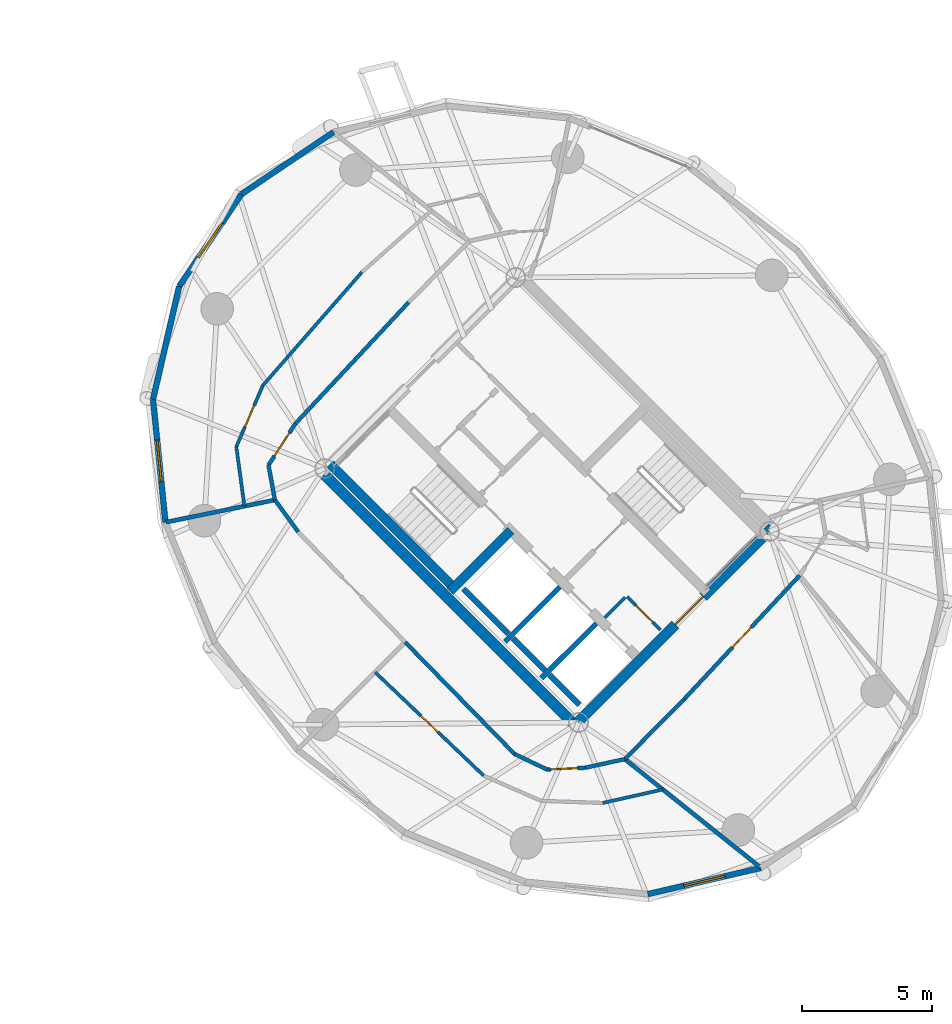
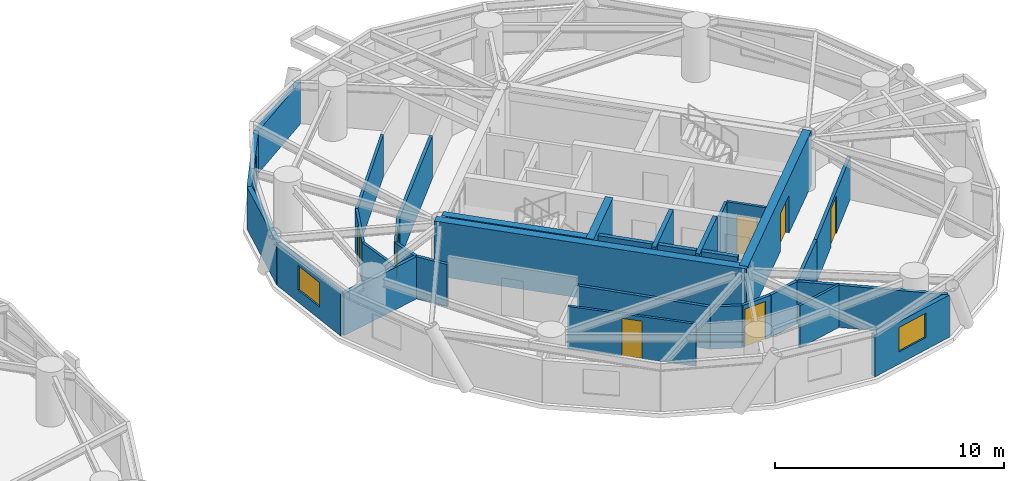
# One storey, part 12 of 17: 33 walls, 7 doors, 3 windows, 10 openings.
"""IFC4 building model written with IfcOpenShell, lengths in metres."""

from ifc_helpers import new_model, si_unit, direction, frame, frame_2d, origin, place, context, subcontext, project, spatial, rectangle, extrude, source, transform, mapped, material, layer, layer_set, type_object, element, fill, save


model = new_model("IFC4")

# Units and contexts
model_context = context("Model", 3, precision=1e-05, world=origin(), true_north=direction((0.0, 1.0)))
body_context = subcontext(model_context, "Body", "Model", "MODEL_VIEW")
ifc_project = project(units=[si_unit("LENGTHUNIT", "METRE"), si_unit("AREAUNIT", "SQUARE_METRE"), si_unit("VOLUMEUNIT", "CUBIC_METRE"), si_unit("PLANEANGLEUNIT", "RADIAN"), si_unit("MASSUNIT", "GRAM", prefix="KILO")], contexts=[model_context])

# Site, building, storey
site_placement = place(None, origin())
site = spatial("IfcSite", under=ifc_project, at=site_placement, CompositionType="ELEMENT")
building_placement = place(site_placement, origin())
building = spatial("IfcBuilding", under=site, at=building_placement, Name="Cununo Teusaquillo Station Towers", CompositionType="ELEMENT")
storey_placement = place(building_placement, frame((0.0, 0.0, 174.8798828125)))
storey = spatial("IfcBuildingStorey", under=building, at=storey_placement, Name="L55", CompositionType="ELEMENT", Elevation=174.8798828125)

# Walls
ifc_material_1 = material(Name="Concrete C50/60", Category="concrete")
ifc_layer_1 = layer(ifc_material_1, 0.199951171875)
ifc_layer_set_1 = layer_set([ifc_layer_1], Name="Concrete C50/60")
wall_type_1 = type_object("IfcWallType", Name="WL-CORE-200", PredefinedType="SHEAR", material=ifc_layer_set_1)
wall_1_placement = place(storey_placement, frame((55.8876953125, 19.0693359375, 0.0), z_axis=(0.0, 0.0, 1.0), x_axis=(0.707106781187, 0.707106781187, 0.0)))
element("IfcWall", 1, at=wall_1_placement, inside=storey, type_object=wall_type_1, Name="L55 Tower B Firefighting Lift Shaft South Shear Wall", PredefinedType="SHEAR", context=body_context, shape_type="SweptSolid", body=[
    extrude(rectangle(XDim=2.969970703125, YDim=0.199951171875, at=frame_2d((1.48486328125, 0.0))), origin(), (0.0, 0.0, 1.0), 2.91015625),
])
wall_2_placement = place(storey_placement, frame((56.01513671875, 19.366455078125, 0.0), z_axis=(0.0, 0.0, 1.0), x_axis=(-0.707106781187, 0.707106781187, 0.0)))
element("IfcWall", 2, at=wall_2_placement, inside=storey, type_object=wall_type_1, Name="L55 Tower B Firefighting Lift Shaft Rear Shear Wall", PredefinedType="SHEAR", context=body_context, shape_type="SweptSolid", body=[
    extrude(rectangle(XDim=2.43994140625, YDim=0.199951171875, at=frame_2d((1.219970703125, 0.0))), origin(), (0.0, 0.0, 1.0), 2.91015625),
])
wall_3_placement = place(storey_placement, frame((57.2841796875, 17.6728515625, 0.0), z_axis=(0.0, 0.0, 1.0), x_axis=(0.707147878904, 0.70706568108, 0.0)))
element("IfcWall", 3, at=wall_3_placement, inside=storey, type_object=wall_type_1, Name="L55 Tower B High-Rise Lift Hoistway Divider Shear Wall", PredefinedType="SHEAR", context=body_context, shape_type="SweptSolid", body=[
    extrude(rectangle(XDim=2.97021484375, YDim=0.199951171875, at=frame_2d((1.485107421875, 0.0))), origin(), (0.0, 0.0, 1.0), 2.91015625),
])
wall_4_placement = place(storey_placement, frame((57.41162109375, 17.969970703125, 0.0), z_axis=(0.0, 0.0, 1.0), x_axis=(-0.707106781187, 0.707106781187, 0.0)))
element("IfcWall", 4, at=wall_4_placement, inside=storey, type_object=wall_type_1, Name="L55 Tower B High-Rise Lift 2 Shaft Rear Shear Wall", PredefinedType="SHEAR", context=body_context, shape_type="SweptSolid", body=[
    extrude(rectangle(XDim=1.73486328125, YDim=0.199951171875, at=frame_2d((0.867431640625, 0.0))), origin(), (0.0, 0.0, 1.0), 2.91015625),
])
wall_5_placement = place(storey_placement, frame((58.7373046875, 16.64404296875, 0.0), z_axis=(0.0, 0.0, 1.0), x_axis=(-0.707032117043, 0.707181437447, 0.0)))
element("IfcWall", 5, at=wall_5_placement, inside=storey, type_object=wall_type_1, Name="L55 Tower B High-Rise Lift 1 Shaft Rear Shear Wall", PredefinedType="SHEAR", context=body_context, shape_type="SweptSolid", body=[
    extrude(rectangle(XDim=1.635009765625, YDim=0.199951171875, at=frame_2d((0.8173828125, 0.0))), origin(), (0.0, 0.0, 1.0), 2.91015625),
])
ifc_material_2 = material(Name="Concrete C50/60", Category="concrete")
ifc_layer_2 = layer(ifc_material_2, 0.35009765625)
ifc_layer_set_2 = layer_set([ifc_layer_2], Name="Concrete C50/60")
wall_type_2 = type_object("IfcWallType", Name="WL-CORE-350", PredefinedType="SHEAR", material=ifc_layer_set_2)
wall_6_placement = place(storey_placement, frame((53.922119140625, 21.14111328125, 0.0), z_axis=(0.0, 0.0, 1.0), x_axis=(-0.707106781187, 0.707106781187, 0.0)))
element("IfcWall", 6, at=wall_6_placement, inside=storey, type_object=wall_type_2, Name="L55 Tower B Core Shear Wall ST1W", PredefinedType="SHEAR", context=body_context, shape_type="SweptSolid", body=[
    extrude(rectangle(XDim=6.695068359375, YDim=0.35009765625, at=frame_2d((3.34765625, 0.0))), origin(), (0.0, 0.0, 1.0), 2.91015625),
])
wall_7_placement = place(storey_placement, frame((53.7841796875, 21.00341796875, 0.0), z_axis=(0.0, 0.0, 1.0), x_axis=(0.707106781187, 0.707106781187, 0.0)))
element("IfcWall", 7, at=wall_7_placement, inside=storey, type_object=wall_type_2, Name="L55 Tower B Core Shear Wall ST1S", PredefinedType="SHEAR", context=body_context, shape_type="SweptSolid", body=[
    extrude(rectangle(XDim=3.284912109375, YDim=0.35009765625, at=frame_2d((1.642578125, 0.0))), origin(), (0.0, 0.0, 1.0), 2.91015625),
])
ifc_material_3 = material(Name="Concrete C50/60", Category="concrete")
ifc_layer_3 = layer(ifc_material_3, 0.39990234375)
ifc_layer_set_3 = layer_set([ifc_layer_3], Name="Concrete C50/60")
wall_type_3 = type_object("IfcWallType", Name="WL-CORE-400", PredefinedType="SHEAR", material=ifc_layer_set_3)
wall_8_placement = place(storey_placement, frame((58.7021484375, 15.73193359375, 0.0), z_axis=(0.0, 0.0, 1.0), x_axis=(-0.707106781187, 0.707106781187, 0.0)))
element("IfcWall", 8, at=wall_8_placement, inside=storey, type_object=wall_type_3, Name="L55 Tower B Core Shear Wall W", PredefinedType="SHEAR", context=body_context, shape_type="SweptSolid", body=[
    extrude(rectangle(XDim=14.10009765625, YDim=0.39990234375, at=frame_2d((7.050048828125, 0.0))), origin(), (0.0, 0.0, 1.0), 2.91015625),
])

# Wall, opening, door
wall_9_placement = place(storey_placement, frame((58.560791015625, 15.873291015625, 0.0), z_axis=(0.0, 0.0, 1.0), x_axis=(0.707106781187, 0.707106781187, 0.0)))
wall_9 = element("IfcWall", 9, at=wall_9_placement, inside=storey, type_object=wall_type_3, Name="L55 Tower B Core Shear Wall S", PredefinedType="SHEAR", context=body_context, shape_type="SweptSolid", body=[
    extrude(rectangle(XDim=10.69970703125, YDim=0.39990234375, at=frame_2d((5.349853515625, 0.0))), origin(), (0.0, 0.0, 1.0), 2.91015625),
])
shared_shape_1 = source(origin(), body_context, "Body", "SweptSolid", [
    extrude(rectangle(XDim=1.5, YDim=2.02001953125, at=frame_2d((0.75, 1.010009765625))), frame((0.0, 0.2099609375, 0.0), z_axis=(0.0, -1.0, 0.0), x_axis=(1.0, 0.0, 0.0)), (0.0, 0.0, 1.0), 0.419921875),
])
opening_1_placement = place(wall_9_placement, frame((5.449951171875, 0.0, 0.0)))
opening_1 = element("IfcOpeningElement", 10, at=opening_1_placement, cuts=wall_9, Name="Opening D-LB1", PredefinedType="OPENING", context=body_context, shape_type="MappedRepresentation", body=[
    mapped(shared_shape_1, transform((0.0, 0.0, 0.0), x_axis=(1.0, 0.0, 0.0), y_axis=(0.0, 1.0, 0.0), z_axis=(0.0, 0.0, 1.0), scale=1.0)),
])
ifc_material_4 = material(Name="Galvanised fire-rated hollow steel door assembly", Category="steel")
door_type_1 = type_object("IfcDoorType", Name="DR-LOBBY-1500", OperationType="DOUBLE_DOOR_SINGLE_SWING", PredefinedType="DOOR", material=ifc_material_4)
shared_shape_2 = source(origin(), body_context, "Body", "SweptSolid", [
    extrude(rectangle(XDim=1.5, YDim=2.02001953125, at=frame_2d((0.75, 1.010009765625))), frame((0.0, 0.02490234375, 0.0), z_axis=(0.0, -1.0, 0.0), x_axis=(1.0, 0.0, 0.0)), (0.0, 0.0, 1.0), 0.050048828125),
])
door_1_placement = place(opening_1_placement, origin())
door_1 = element("IfcDoor", 11, at=door_1_placement, inside=storey, type_object=door_type_1, Name="L55 Tower B South Core Lift Lobby Door", OperationType="DOUBLE_DOOR_SINGLE_SWING", OverallHeight=2.02001953125, OverallWidth=1.5, PredefinedType="DOOR", context=body_context, shape_type="MappedRepresentation", body=[
    mapped(shared_shape_2, transform((0.0, 0.0, 0.0), x_axis=(1.0, 0.0, 0.0), y_axis=(0.0, 1.0, 0.0), z_axis=(0.0, 0.0, 1.0), scale=1.0)),
])
fill(opening_1, door_1)

# Wall
ifc_material_5 = material(Name="Precast concrete C40/50", Category="concrete")
ifc_layer_4 = layer(ifc_material_5, 0.219970703125)
ifc_layer_set_4 = layer_set([ifc_layer_4], Name="Precast concrete C40/50")
wall_type_4 = type_object("IfcWallType", Name="WL-EXT-220", PredefinedType="SOLIDWALL", material=ifc_layer_set_4)
wall_10_placement = place(storey_placement, frame((45.783203125, 36.216796875, 0.0), z_axis=(0.0, 0.0, 1.0), x_axis=(0.828817439852, 0.55951912514, 0.0)))
element("IfcWall", 12, at=wall_10_placement, inside=storey, type_object=wall_type_4, Name="L55 Tower B Exterior Facade Wall C04", PredefinedType="SOLIDWALL", context=body_context, shape_type="SweptSolid", body=[
    extrude(rectangle(XDim=4.259033203125, YDim=0.219970703125, at=frame_2d((2.12939453125, 0.0))), origin(), (0.0, 0.0, 1.0), 2.2451171875),
])

# Wall, opening, window
wall_11_placement = place(storey_placement, frame((43.400146484375, 32.686767578125, 0.0), z_axis=(0.0, 0.0, 1.0), x_axis=(0.55951912514, 0.828817439852, 0.0)))
wall_11 = element("IfcWall", 13, at=wall_11_placement, inside=storey, type_object=wall_type_4, Name="L55 Tower B Exterior Facade Wall C05", PredefinedType="SOLIDWALL", context=body_context, shape_type="SweptSolid", body=[
    extrude(rectangle(XDim=4.259033203125, YDim=0.219970703125, at=frame_2d((2.12939453125, 0.0))), origin(), (0.0, 0.0, 1.0), 2.2451171875),
])
shared_shape_3 = source(origin(), body_context, "Body", "SweptSolid", [
    extrude(rectangle(XDim=1.60009765625, YDim=1.300048828125, at=frame_2d((0.800048828125, 0.64990234375))), frame((0.0, 0.119873046875, 0.0), z_axis=(0.0, -1.0, 0.0), x_axis=(1.0, 0.0, 0.0)), (0.0, 0.0, 1.0), 0.239990234375),
])
opening_2_placement = place(wall_11_placement, frame((1.330078125, 0.0, 0.64990234375)))
opening_2 = element("IfcOpeningElement", 14, at=opening_2_placement, cuts=wall_11, Name="Opening WN-03", PredefinedType="OPENING", context=body_context, shape_type="MappedRepresentation", body=[
    mapped(shared_shape_3, transform((0.0, 0.0, 0.0), x_axis=(1.0, 0.0, 0.0), y_axis=(0.0, 1.0, 0.0), z_axis=(0.0, 0.0, 1.0), scale=1.0)),
])
ifc_material_6 = material(Name="Ceramic-fritted dark low-E double glazing", Category="glass")
window_type = type_object("IfcWindowType", Name="WIN-CORN-1600", PartitioningType="SINGLE_PANEL", PredefinedType="WINDOW", material=ifc_material_6)
shared_shape_4 = source(origin(), body_context, "Body", "SweptSolid", [
    extrude(rectangle(XDim=1.60009765625, YDim=1.300048828125, at=frame_2d((0.800048828125, 0.64990234375))), frame((0.0, 0.030029296875, 0.0), z_axis=(0.0, -1.0, 0.0), x_axis=(1.0, 0.0, 0.0)), (0.0, 0.0, 1.0), 0.06005859375),
])
window_1_placement = place(opening_2_placement, origin())
window_1 = element("IfcWindow", 15, at=window_1_placement, inside=storey, type_object=window_type, Name="L55 Tower B Facade Window C05", OverallHeight=1.300048828125, OverallWidth=1.60009765625, PartitioningType="SINGLE_PANEL", PredefinedType="WINDOW", context=body_context, shape_type="MappedRepresentation", body=[
    mapped(shared_shape_4, transform((0.0, 0.0, 0.0), x_axis=(1.0, 0.0, 0.0), y_axis=(0.0, 1.0, 0.0), z_axis=(0.0, 0.0, 1.0), scale=1.0)),
])
fill(opening_2, window_1)

# Wall
wall_12_placement = place(storey_placement, frame((42.397216796875, 28.355224609375, 0.0), z_axis=(0.0, 0.0, 1.0), x_axis=(0.22557328587, 0.97422620202, 0.0)))
element("IfcWall", 16, at=wall_12_placement, inside=storey, type_object=wall_type_4, Name="L55 Tower B Exterior Facade Wall C06", PredefinedType="SOLIDWALL", context=body_context, shape_type="SweptSolid", body=[
    extrude(rectangle(XDim=4.446044921875, YDim=0.219970703125, at=frame_2d((2.22314453125, 0.0))), origin(), (0.0, 0.0, 1.0), 2.2451171875),
])

# Wall, opening, window
wall_13_placement = place(storey_placement, frame((42.87255859375, 23.646484375, 0.0), z_axis=(0.0, 0.0, 1.0), x_axis=(-0.100438356004, 0.994943283129, 0.0)))
wall_13 = element("IfcWall", 17, at=wall_13_placement, inside=storey, type_object=wall_type_4, Name="L55 Tower B Exterior Facade Wall C07", PredefinedType="SOLIDWALL", context=body_context, shape_type="SweptSolid", body=[
    extrude(rectangle(XDim=4.732666015625, YDim=0.219970703125, at=frame_2d((2.3662109375, 0.0))), origin(), (0.0, 0.0, 1.0), 2.2451171875),
])
opening_3_placement = place(wall_13_placement, frame((1.56591796875, 0.0, 0.64990234375)))
opening_3 = element("IfcOpeningElement", 18, at=opening_3_placement, cuts=wall_13, Name="Opening WN-03", PredefinedType="OPENING", context=body_context, shape_type="MappedRepresentation", body=[
    mapped(shared_shape_3, transform((0.0, 0.0, 0.0), x_axis=(1.0, 0.0, 0.0), y_axis=(0.0, 1.0, 0.0), z_axis=(0.0, 0.0, 1.0), scale=1.0)),
])
window_2_placement = place(opening_3_placement, origin())
window_2 = element("IfcWindow", 19, at=window_2_placement, inside=storey, type_object=window_type, Name="L55 Tower B Facade Window C07", OverallHeight=1.300048828125, OverallWidth=1.60009765625, PartitioningType="SINGLE_PANEL", PredefinedType="WINDOW", context=body_context, shape_type="MappedRepresentation", body=[
    mapped(shared_shape_4, transform((0.0, 0.0, 0.0), x_axis=(1.0, 0.0, 0.0), y_axis=(0.0, 1.0, 0.0), z_axis=(0.0, 0.0, 1.0), scale=1.0)),
])
fill(opening_3, window_2)

wall_14_placement = place(storey_placement, frame((65.686767578125, 10.400146484375, 0.0), z_axis=(0.0, 0.0, 1.0), x_axis=(-0.97422620202, -0.22557328587, 0.0)))
wall_14 = element("IfcWall", 20, at=wall_14_placement, inside=storey, type_object=wall_type_4, Name="L55 Tower B Exterior Facade Wall C13", PredefinedType="SOLIDWALL", context=body_context, shape_type="SweptSolid", body=[
    extrude(rectangle(XDim=4.446044921875, YDim=0.219970703125, at=frame_2d((2.22314453125, 0.0))), origin(), (0.0, 0.0, 1.0), 2.2451171875),
])
opening_4_placement = place(wall_14_placement, frame((1.423095703125, 0.0, 0.64990234375)))
opening_4 = element("IfcOpeningElement", 21, at=opening_4_placement, cuts=wall_14, Name="Opening WN-03", PredefinedType="OPENING", context=body_context, shape_type="MappedRepresentation", body=[
    mapped(shared_shape_3, transform((0.0, 0.0, 0.0), x_axis=(1.0, 0.0, 0.0), y_axis=(0.0, 1.0, 0.0), z_axis=(0.0, 0.0, 1.0), scale=1.0)),
])
window_3_placement = place(opening_4_placement, origin())
window_3 = element("IfcWindow", 22, at=window_3_placement, inside=storey, type_object=window_type, Name="L55 Tower B Facade Window C13", OverallHeight=1.300048828125, OverallWidth=1.60009765625, PartitioningType="SINGLE_PANEL", PredefinedType="WINDOW", context=body_context, shape_type="MappedRepresentation", body=[
    mapped(shared_shape_4, transform((0.0, 0.0, 0.0), x_axis=(1.0, 0.0, 0.0), y_axis=(0.0, 1.0, 0.0), z_axis=(0.0, 0.0, 1.0), scale=1.0)),
])
fill(opening_4, window_3)

# Wall, opening, door
ifc_material_7 = material(Name="Fire-rated gypsum plasterboard partition assembly", Category="gypsum")
ifc_layer_5 = layer(ifc_material_7, 0.125)
ifc_layer_set_5 = layer_set([ifc_layer_5], Name="Fire-rated gypsum plasterboard partition assembly")
wall_type_5 = type_object("IfcWallType", Name="WL-PART-125", PredefinedType="PARTITIONING", material=ifc_layer_set_5)
wall_15_placement = place(storey_placement, frame((61.834716796875, 19.529052734375, 0.0), z_axis=(0.0, 0.0, 1.0), x_axis=(-0.707174592913, 0.707038962956, 0.0)))
wall_15 = element("IfcWall", 23, at=wall_15_placement, inside=storey, type_object=wall_type_5, Name="L55 Tower B South-West Compact Store East Wall", PredefinedType="PARTITIONING", context=body_context, shape_type="SweptSolid", body=[
    extrude(rectangle(XDim=1.800048828125, YDim=0.125, at=frame_2d((0.89990234375, 0.0))), origin(), (0.0, 0.0, 1.0), 2.675048828125),
])
shared_shape_5 = source(origin(), body_context, "Body", "SweptSolid", [
    extrude(rectangle(XDim=0.89990234375, YDim=2.0048828125, at=frame_2d((0.449951171875, 1.00244140625))), frame((0.0, 0.072509765625, 0.0), z_axis=(0.0, -1.0, 0.0), x_axis=(1.0, 0.0, 0.0)), (0.0, 0.0, 1.0), 0.14501953125),
])
opening_5_placement = place(wall_15_placement, frame((0.419921875, 0.0, 0.0)))
opening_5 = element("IfcOpeningElement", 24, at=opening_5_placement, cuts=wall_15, Name="Opening D-SR1", PredefinedType="OPENING", context=body_context, shape_type="MappedRepresentation", body=[
    mapped(shared_shape_5, transform((0.0, 0.0, 0.0), x_axis=(1.0, 0.0, 0.0), y_axis=(0.0, 1.0, 0.0), z_axis=(0.0, 0.0, 1.0), scale=1.0)),
])
ifc_material_8 = material(Name="Galvanised fire-rated hollow steel door assembly", Category="steel")
door_type_2 = type_object("IfcDoorType", Name="DR-STORE-900", OperationType="NOTDEFINED", PredefinedType="DOOR", material=ifc_material_8)
shared_shape_6 = source(origin(), body_context, "Body", "SweptSolid", [
    extrude(rectangle(XDim=0.89990234375, YDim=2.0048828125, at=frame_2d((0.449951171875, 1.00244140625))), frame((0.0, 0.02490234375, 0.0), z_axis=(0.0, -1.0, 0.0), x_axis=(1.0, 0.0, 0.0)), (0.0, 0.0, 1.0), 0.050048828125),
])
door_2_placement = place(opening_5_placement, origin())
door_2 = element("IfcDoor", 25, at=door_2_placement, inside=storey, type_object=door_type_2, Name="L55 Tower B Core Electrical & Comms Store Door", OperationType="SINGLE_SWING_LEFT", OverallHeight=2.0048828125, OverallWidth=0.89990234375, PredefinedType="DOOR", context=body_context, shape_type="MappedRepresentation", body=[
    mapped(shared_shape_6, transform((0.0, 0.0, 0.0), x_axis=(1.0, 0.0, 0.0), y_axis=(0.0, 1.0, 0.0), z_axis=(0.0, 0.0, 1.0), scale=1.0)),
])
fill(opening_5, door_2)

# Walls
wall_16_placement = place(storey_placement, frame((59.713134765625, 19.99560546875, 0.0), z_axis=(0.0, 0.0, 1.0), x_axis=(0.707217726, 0.706995818963, 0.0)))
element("IfcWall", 26, at=wall_16_placement, inside=storey, type_object=wall_type_5, Name="L55 Tower B South-West Compact Store North Wall", PredefinedType="PARTITIONING", context=body_context, shape_type="SweptSolid", body=[
    extrude(rectangle(XDim=1.10009765625, YDim=0.125, at=frame_2d((0.550048828125, 0.0))), origin(), (0.0, 0.0, 1.0), 2.675048828125),
])
wall_17_placement = place(storey_placement, frame((50.401123046875, 33.230224609375, 0.0), z_axis=(0.0, 0.0, 1.0), x_axis=(-0.658387591096, -0.752679068322, 0.0)))
element("IfcWall", 27, at=wall_17_placement, inside=storey, type_object=wall_type_5, Name="L55 Tower B Private Butler & Banquet Hall Concentric Partition Wall C05", PredefinedType="PARTITIONING", context=body_context, shape_type="SweptSolid", body=[
    extrude(rectangle(XDim=5.760986328125, YDim=0.125, at=frame_2d((2.88037109375, 0.0))), origin(), (0.0, 0.0, 1.0), 2.2451171875),
])

# Wall, opening, door
wall_18_placement = place(storey_placement, frame((46.608154296875, 28.89404296875, 0.0), z_axis=(0.0, 0.0, 1.0), x_axis=(-0.397650183672, -0.917537100844, 0.0)))
wall_18 = element("IfcWall", 28, at=wall_18_placement, inside=storey, type_object=wall_type_5, Name="L55 Tower B Private Butler & Banquet Hall Concentric Partition Wall C06", PredefinedType="PARTITIONING", context=body_context, shape_type="SweptSolid", body=[
    extrude(rectangle(XDim=2.564453125, YDim=0.125, at=frame_2d((1.2822265625, 0.0))), origin(), (0.0, 0.0, 1.0), 2.2451171875),
])
opening_6_placement = place(wall_18_placement, frame((0.832275390625, 0.0, 0.0)))
opening_6 = element("IfcOpeningElement", 29, at=opening_6_placement, cuts=wall_18, Name="Opening D-IN1", PredefinedType="OPENING", context=body_context, shape_type="MappedRepresentation", body=[
    mapped(shared_shape_5, transform((0.0, 0.0, 0.0), x_axis=(1.0, 0.0, 0.0), y_axis=(0.0, 1.0, 0.0), z_axis=(0.0, 0.0, 1.0), scale=1.0)),
])
ifc_material_9 = material(Name="Acoustic solid-core hardwood leaf assembly", Category="wood")
door_type_3 = type_object("IfcDoorType", Name="DR-INT-900", OperationType="NOTDEFINED", PredefinedType="DOOR", material=ifc_material_9)
door_3_placement = place(opening_6_placement, origin())
door_3 = element("IfcDoor", 30, at=door_3_placement, inside=storey, type_object=door_type_3, Name="L55 Tower B Private Butler & Banquet Hall Connecting Door", OperationType="SINGLE_SWING_LEFT", OverallHeight=2.0048828125, OverallWidth=0.89990234375, PredefinedType="DOOR", context=body_context, shape_type="MappedRepresentation", body=[
    mapped(shared_shape_6, transform((0.0, 0.0, 0.0), x_axis=(1.0, 0.0, 0.0), y_axis=(0.0, 1.0, 0.0), z_axis=(0.0, 0.0, 1.0), scale=1.0)),
])
fill(opening_6, door_3)

# Wall
wall_19_placement = place(storey_placement, frame((45.58837890625, 26.541015625, 0.0), z_axis=(0.0, 0.0, 1.0), x_axis=(0.135321759641, -0.990801706381, 0.0)))
element("IfcWall", 31, at=wall_19_placement, inside=storey, type_object=wall_type_5, Name="L55 Tower B Private Butler & Banquet Hall Concentric Partition Wall C07", PredefinedType="PARTITIONING", context=body_context, shape_type="SweptSolid", body=[
    extrude(rectangle(XDim=2.298583984375, YDim=0.125, at=frame_2d((1.1494140625, 0.0))), origin(), (0.0, 0.0, 1.0), 2.2451171875),
])

# Wall, opening, door
wall_20_placement = place(storey_placement, frame((50.90478515625, 17.90478515625, 0.0), z_axis=(0.0, 0.0, 1.0), x_axis=(0.723816902075, -0.689992095803, 0.0)))
wall_20 = element("IfcWall", 32, at=wall_20_placement, inside=storey, type_object=wall_type_5, Name="L55 Tower B Grand Cordillera Club Salon Concentric Partition Wall C10", PredefinedType="PARTITIONING", context=body_context, shape_type="SweptSolid", body=[
    extrude(rectangle(XDim=5.752685546875, YDim=0.125, at=frame_2d((2.87646484375, 0.0))), origin(), (0.0, 0.0, 1.0), 2.2451171875),
])
opening_7_placement = place(wall_20_placement, frame((2.42626953125, 0.0, 0.0)))
opening_7 = element("IfcOpeningElement", 33, at=opening_7_placement, cuts=wall_20, Name="Opening D-IN1", PredefinedType="OPENING", context=body_context, shape_type="MappedRepresentation", body=[
    mapped(shared_shape_5, transform((0.0, 0.0, 0.0), x_axis=(1.0, 0.0, 0.0), y_axis=(0.0, 1.0, 0.0), z_axis=(0.0, 0.0, 1.0), scale=1.0)),
])
door_4_placement = place(opening_7_placement, origin())
door_4 = element("IfcDoor", 34, at=door_4_placement, inside=storey, type_object=door_type_3, Name="L55 Tower B Grand Cordillera Club Salon Connecting Door", OperationType="SINGLE_SWING_RIGHT", OverallHeight=2.0048828125, OverallWidth=0.89990234375, PredefinedType="DOOR", context=body_context, shape_type="MappedRepresentation", body=[
    mapped(shared_shape_6, transform((0.0, 0.0, 0.0), x_axis=(1.0, 0.0, 0.0), y_axis=(0.0, 1.0, 0.0), z_axis=(0.0, 0.0, 1.0), scale=1.0)),
])
fill(opening_7, door_4)

# Walls
wall_21_placement = place(storey_placement, frame((59.62890625, 12.89013671875, 0.0), z_axis=(0.0, 0.0, 1.0), x_axis=(0.97566344203, 0.219273454585, 0.0)))
element("IfcWall", 35, at=wall_21_placement, inside=storey, type_object=wall_type_5, Name="L55 Tower B Grand Cordillera Club Salon Concentric Partition Wall C13", PredefinedType="PARTITIONING", context=body_context, shape_type="SweptSolid", body=[
    extrude(rectangle(XDim=2.3603515625, YDim=0.125, at=frame_2d((1.18017578125, 0.0))), origin(), (0.0, 0.0, 1.0), 2.2451171875),
])
ifc_material_10 = material(Name="Fire-rated gypsum plasterboard partition assembly", Category="gypsum")
ifc_layer_6 = layer(ifc_material_10, 0.14990234375)
ifc_layer_set_6 = layer_set([ifc_layer_6], Name="Fire-rated gypsum plasterboard partition assembly")
wall_type_6 = type_object("IfcWallType", Name="WL-PART-150", PredefinedType="PARTITIONING", material=ifc_layer_set_6)
wall_22_placement = place(storey_placement, frame((52.19140625, 32.07421875, 0.0), z_axis=(0.0, 0.0, 1.0), x_axis=(-0.682404362608, -0.730974887321, 0.0)))
element("IfcWall", 36, at=wall_22_placement, inside=storey, type_object=wall_type_6, Name="L55 Tower B Corridor Ring Wall C05", PredefinedType="PARTITIONING", context=body_context, shape_type="SweptSolid", body=[
    extrude(rectangle(XDim=6.363525390625, YDim=0.14990234375, at=frame_2d((3.181640625, 0.0))), origin(), (0.0, 0.0, 1.0), 2.2451171875),
])

# Wall, opening, door
wall_23_placement = place(storey_placement, frame((47.848876953125, 27.422607421875, 0.0), z_axis=(0.0, 0.0, 1.0), x_axis=(-0.543529808582, -0.839389866023, 0.0)))
wall_23 = element("IfcWall", 37, at=wall_23_placement, inside=storey, type_object=wall_type_6, Name="L55 Tower B Corridor Ring Wall C06", PredefinedType="PARTITIONING", context=body_context, shape_type="SweptSolid", body=[
    extrude(rectangle(XDim=1.8896484375, YDim=0.14990234375, at=frame_2d((0.94482421875, 0.0))), origin(), (0.0, 0.0, 1.0), 2.2451171875),
])
shared_shape_7 = source(origin(), body_context, "Body", "SweptSolid", [
    extrude(rectangle(XDim=1.050048828125, YDim=2.014892578125, at=frame_2d((0.52490234375, 1.00732421875))), frame((0.0, 0.0849609375, 0.0), z_axis=(0.0, -1.0, 0.0), x_axis=(1.0, 0.0, 0.0)), (0.0, 0.0, 1.0), 0.169921875),
])
opening_8_placement = place(wall_23_placement, frame((0.419921875, 0.0, 0.0)))
opening_8 = element("IfcOpeningElement", 38, at=opening_8_placement, cuts=wall_23, Name="Opening D-SU1", PredefinedType="OPENING", context=body_context, shape_type="MappedRepresentation", body=[
    mapped(shared_shape_7, transform((0.0, 0.0, 0.0), x_axis=(1.0, 0.0, 0.0), y_axis=(0.0, 1.0, 0.0), z_axis=(0.0, 0.0, 1.0), scale=1.0)),
])
ifc_material_11 = material(Name="Acoustic solid-core hardwood leaf assembly", Category="wood")
door_type_4 = type_object("IfcDoorType", Name="DR-SUITE-1050", OperationType="NOTDEFINED", PredefinedType="DOOR", material=ifc_material_11)
shared_shape_8 = source(origin(), body_context, "Body", "SweptSolid", [
    extrude(rectangle(XDim=1.050048828125, YDim=2.014892578125, at=frame_2d((0.52490234375, 1.00732421875))), frame((0.0, 0.02490234375, 0.0), z_axis=(0.0, -1.0, 0.0), x_axis=(1.0, 0.0, 0.0)), (0.0, 0.0, 1.0), 0.050048828125),
])
door_5_placement = place(opening_8_placement, origin())
door_5 = element("IfcDoor", 39, at=door_5_placement, inside=storey, type_object=door_type_4, Name="L55 Tower B Private Butler & Banquet Hall Entrance Door", OperationType="SINGLE_SWING_RIGHT", OverallHeight=2.014892578125, OverallWidth=1.050048828125, PredefinedType="DOOR", context=body_context, shape_type="MappedRepresentation", body=[
    mapped(shared_shape_8, transform((0.0, 0.0, 0.0), x_axis=(1.0, 0.0, 0.0), y_axis=(0.0, 1.0, 0.0), z_axis=(0.0, 0.0, 1.0), scale=1.0)),
])
fill(opening_8, door_5)

# Walls
wall_24_placement = place(storey_placement, frame((46.82177734375, 25.83642578125, 0.0), z_axis=(0.0, 0.0, 1.0), x_axis=(0.182115036249, -0.983277231289, 0.0)))
element("IfcWall", 40, at=wall_24_placement, inside=storey, type_object=wall_type_6, Name="L55 Tower B Corridor Ring Wall C07", PredefinedType="PARTITIONING", context=body_context, shape_type="SweptSolid", body=[
    extrude(rectangle(XDim=1.356689453125, YDim=0.14990234375, at=frame_2d((0.67822265625, 0.0))), origin(), (0.0, 0.0, 1.0), 2.2451171875),
])
wall_25_placement = place(storey_placement, frame((47.06884765625, 24.50244140625, 0.0), z_axis=(0.0, 0.0, 1.0), x_axis=(0.587577436866, -0.809167940347, 0.0)))
element("IfcWall", 41, at=wall_25_placement, inside=storey, type_object=wall_type_6, Name="L55 Tower B Corridor Ring Wall C08", PredefinedType="PARTITIONING", context=body_context, shape_type="SweptSolid", body=[
    extrude(rectangle(XDim=1.514892578125, YDim=0.14990234375, at=frame_2d((0.75732421875, 0.0))), origin(), (0.0, 0.0, 1.0), 2.2451171875),
])
wall_26_placement = place(storey_placement, frame((52.055419921875, 19.055419921875, 0.0), z_axis=(0.0, 0.0, 1.0), x_axis=(0.699249850691, -0.714877364524, 0.0)))
element("IfcWall", 42, at=wall_26_placement, inside=storey, type_object=wall_type_6, Name="L55 Tower B Corridor Ring Wall C10", PredefinedType="PARTITIONING", context=body_context, shape_type="SweptSolid", body=[
    extrude(rectangle(XDim=5.9990234375, YDim=0.14990234375, at=frame_2d((2.99951171875, 0.0))), origin(), (0.0, 0.0, 1.0), 2.2451171875),
])
wall_27_placement = place(storey_placement, frame((56.250244140625, 14.766845703125, 0.0), z_axis=(0.0, 0.0, 1.0), x_axis=(0.902518380752, -0.430651335078, 0.0)))
element("IfcWall", 43, at=wall_27_placement, inside=storey, type_object=wall_type_6, Name="L55 Tower B Corridor Ring Wall C11", PredefinedType="PARTITIONING", context=body_context, shape_type="SweptSolid", body=[
    extrude(rectangle(XDim=1.385986328125, YDim=0.14990234375, at=frame_2d((0.69287109375, 0.0))), origin(), (0.0, 0.0, 1.0), 2.2451171875),
])

# Wall, opening, door
wall_28_placement = place(storey_placement, frame((57.501220703125, 14.169921875, 0.0), z_axis=(0.0, 0.0, 1.0), x_axis=(0.998814137693, 0.048685915254, 0.0)))
wall_28 = element("IfcWall", 44, at=wall_28_placement, inside=storey, type_object=wall_type_6, Name="L55 Tower B Corridor Ring Wall C12", PredefinedType="PARTITIONING", context=body_context, shape_type="SweptSolid", body=[
    extrude(rectangle(XDim=1.459228515625, YDim=0.14990234375, at=frame_2d((0.7294921875, 0.0))), origin(), (0.0, 0.0, 1.0), 2.2451171875),
])
opening_9_placement = place(wall_28_placement, frame((0.1201171875, 0.0, 0.0)))
opening_9 = element("IfcOpeningElement", 45, at=opening_9_placement, cuts=wall_28, Name="Opening D-SU1", PredefinedType="OPENING", context=body_context, shape_type="MappedRepresentation", body=[
    mapped(shared_shape_7, transform((0.0, 0.0, 0.0), x_axis=(1.0, 0.0, 0.0), y_axis=(0.0, 1.0, 0.0), z_axis=(0.0, 0.0, 1.0), scale=1.0)),
])
door_6_placement = place(opening_9_placement, origin())
door_6 = element("IfcDoor", 46, at=door_6_placement, inside=storey, type_object=door_type_4, Name="L55 Tower B Grand Cordillera Club Salon Entrance Door", OperationType="SINGLE_SWING_LEFT", OverallHeight=2.014892578125, OverallWidth=1.050048828125, PredefinedType="DOOR", context=body_context, shape_type="MappedRepresentation", body=[
    mapped(shared_shape_8, transform((0.0, 0.0, 0.0), x_axis=(1.0, 0.0, 0.0), y_axis=(0.0, 1.0, 0.0), z_axis=(0.0, 0.0, 1.0), scale=1.0)),
])
fill(opening_9, door_6)

# Walls
wall_29_placement = place(storey_placement, frame((58.958740234375, 14.240966796875, 0.0), z_axis=(0.0, 0.0, 1.0), x_axis=(0.977216106897, 0.212246744196, 0.0)))
element("IfcWall", 47, at=wall_29_placement, inside=storey, type_object=wall_type_6, Name="L55 Tower B Corridor Ring Wall C13", PredefinedType="PARTITIONING", context=body_context, shape_type="SweptSolid", body=[
    extrude(rectangle(XDim=1.5517578125, YDim=0.14990234375, at=frame_2d((0.77587890625, 0.0))), origin(), (0.0, 0.0, 1.0), 2.2451171875),
])
wall_30_placement = place(storey_placement, frame((60.47509765625, 14.5703125, 0.0), z_axis=(0.0, 0.0, 1.0), x_axis=(0.703709284374, 0.710488031628, 0.0)))
element("IfcWall", 48, at=wall_30_placement, inside=storey, type_object=wall_type_6, Name="L55 Tower B Corridor Ring Wall C14", PredefinedType="PARTITIONING", context=body_context, shape_type="SweptSolid", body=[
    extrude(rectangle(XDim=3.241455078125, YDim=0.14990234375, at=frame_2d((1.62060546875, 0.0))), origin(), (0.0, 0.0, 1.0), 2.2451171875),
])

# Wall, opening, door
wall_31_placement = place(storey_placement, frame((62.756103515625, 16.873291015625, 0.0), z_axis=(0.0, 0.0, 1.0), x_axis=(0.682136885079, 0.73122450042, 0.0)))
wall_31 = element("IfcWall", 49, at=wall_31_placement, inside=storey, type_object=wall_type_6, Name="L55 Tower B Corridor Ring Wall C15", PredefinedType="PARTITIONING", context=body_context, shape_type="SweptSolid", body=[
    extrude(rectangle(XDim=6.4755859375, YDim=0.14990234375, at=frame_2d((3.23779296875, 0.0))), origin(), (0.0, 0.0, 1.0), 2.2451171875),
])
opening_10_placement = place(wall_31_placement, frame((2.712890625, 0.0, 0.0)))
opening_10 = element("IfcOpeningElement", 50, at=opening_10_placement, cuts=wall_31, Name="Opening D-SU1", PredefinedType="OPENING", context=body_context, shape_type="MappedRepresentation", body=[
    mapped(shared_shape_7, transform((0.0, 0.0, 0.0), x_axis=(1.0, 0.0, 0.0), y_axis=(0.0, 1.0, 0.0), z_axis=(0.0, 0.0, 1.0), scale=1.0)),
])
door_7_placement = place(opening_10_placement, origin())
door_7 = element("IfcDoor", 51, at=door_7_placement, inside=storey, type_object=door_type_4, Name="L55 Tower B Hotel Housekeeping & Linen Pantry Entrance Door", OperationType="SINGLE_SWING_LEFT", OverallHeight=2.014892578125, OverallWidth=1.050048828125, PredefinedType="DOOR", context=body_context, shape_type="MappedRepresentation", body=[
    mapped(shared_shape_8, transform((0.0, 0.0, 0.0), x_axis=(1.0, 0.0, 0.0), y_axis=(0.0, 1.0, 0.0), z_axis=(0.0, 0.0, 1.0), scale=1.0)),
])
fill(opening_10, door_7)

# Walls
ifc_material_12 = material(Name="Fire-rated gypsum plasterboard partition assembly", Category="gypsum")
ifc_layer_7 = layer(ifc_material_12, 0.159912109375)
ifc_layer_set_7 = layer_set([ifc_layer_7], Name="Fire-rated gypsum plasterboard partition assembly")
wall_type_7 = type_object("IfcWallType", Name="WL-PART-160", PredefinedType="PARTITIONING", material=ifc_layer_set_7)
wall_32_placement = place(storey_placement, frame((47.06884765625, 24.50244140625, 0.0), z_axis=(0.0, 0.0, 1.0), x_axis=(-0.979772902724, -0.200112616012, 0.0)))
element("IfcWall", 52, at=wall_32_placement, inside=storey, type_object=wall_type_7, Name="L55 Tower B Radial Suite Partition R03", PredefinedType="PARTITIONING", context=body_context, shape_type="SweptSolid", body=[
    extrude(rectangle(XDim=4.2626953125, YDim=0.159912109375, at=frame_2d((2.13134765625, 0.0))), origin(), (0.0, 0.0, 1.0), 2.2451171875),
])
wall_33_placement = place(storey_placement, frame((60.47509765625, 14.5703125, 0.0), z_axis=(0.0, 0.0, 1.0), x_axis=(0.78156967059, -0.623817962241, 0.0)))
element("IfcWall", 53, at=wall_33_placement, inside=storey, type_object=wall_type_7, Name="L55 Tower B Radial Suite Partition R05", PredefinedType="PARTITIONING", context=body_context, shape_type="SweptSolid", body=[
    extrude(rectangle(XDim=6.65625, YDim=0.159912109375, at=frame_2d((3.328125, 0.0))), origin(), (0.0, 0.0, 1.0), 2.2451171875),
])

save(model, "model.ifc")
